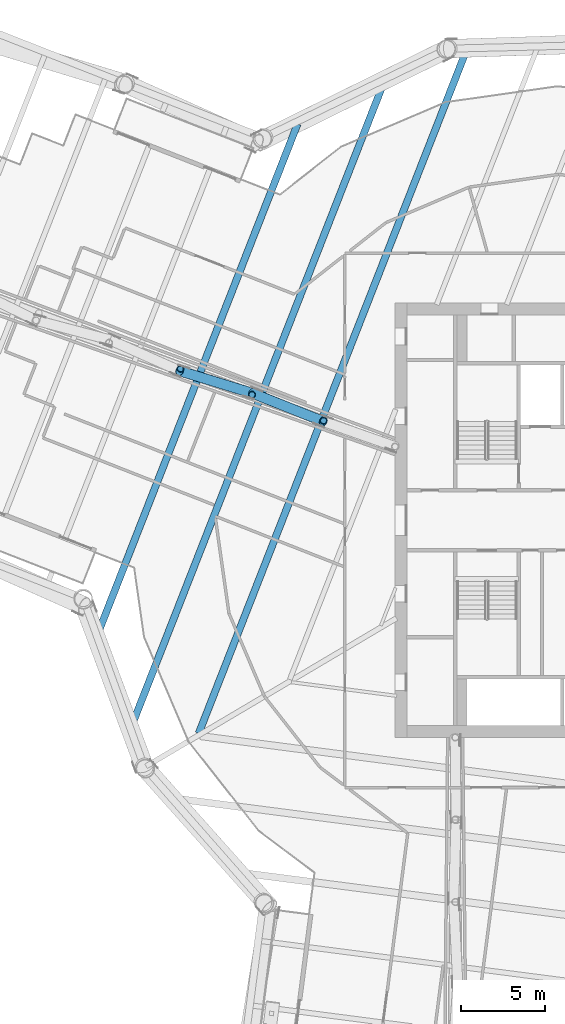
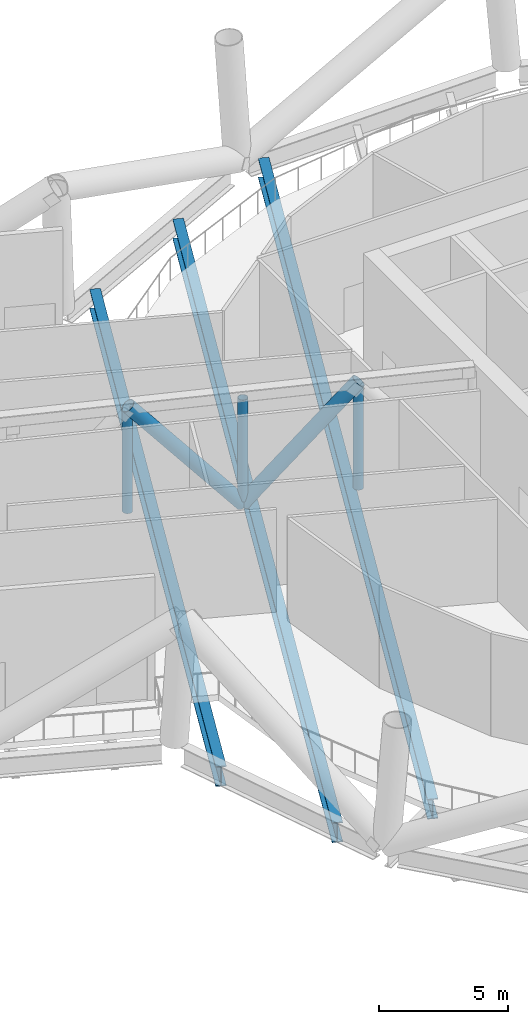
# One storey, part 4 of 36: 5 members, 3 beams.
"""IFC4 building model written with IfcOpenShell, lengths in metres."""

from ifc_helpers import new_model, si_unit, direction, frame, origin, origin_2d, place, context, subcontext, project, spatial, hollow_circle, i_section, extrude, material, material_profile, profile_set, type_object, element, save


model = new_model("IFC4")

# Units and contexts
model_context = context("Model", 3, precision=1e-05, world=origin(), true_north=direction((0.0, 1.0)))
body_context = subcontext(model_context, "Body", "Model", "MODEL_VIEW")
ifc_project = project(units=[si_unit("LENGTHUNIT", "METRE"), si_unit("AREAUNIT", "SQUARE_METRE"), si_unit("VOLUMEUNIT", "CUBIC_METRE"), si_unit("PLANEANGLEUNIT", "RADIAN"), si_unit("MASSUNIT", "GRAM", prefix="KILO")], contexts=[model_context])

# Site, building, storey
site_placement = place(None, origin())
site = spatial("IfcSite", under=ifc_project, at=site_placement, CompositionType="ELEMENT")
building_placement = place(site_placement, origin())
building = spatial("IfcBuilding", under=site, at=building_placement, Name="Tarsis Ring Headquarters", CompositionType="ELEMENT")
storey_placement = place(building_placement, frame((0.0, 0.0, 194.39990234375)))
storey = spatial("IfcBuildingStorey", under=building, at=storey_placement, Name="L45", CompositionType="ELEMENT", Elevation=194.39990234375)

# Beams
ifc_material = material(Name="Structural steel S355", Category="steel")
ifc_material_profile_1 = material_profile(ifc_material, i_section(OverallWidth=0.42431640625, OverallDepth=0.947509765625, WebThickness=0.02392578125, FlangeThickness=0.042724609375, at=origin_2d()), Name="W36x302")
ifc_profile_set_1 = profile_set([ifc_material_profile_1], Name="Structural steel S355")
beam_type = type_object("IfcBeamType", Name="FB Floor beam W36x302", PredefinedType="JOIST", material=ifc_profile_set_1)
beam_1_placement = place(storey_placement, frame((-5.7275390625, 28.13916015625, -0.773681640625), z_axis=(-0.364877540519, -0.931055519518, 0.0), x_axis=(0.931055519518, -0.364877540519, 0.0)))
element("IfcBeam", 1, at=beam_1_placement, inside=storey, type_object=beam_type, Name="Floor beam FB12", PredefinedType="JOIST", context=body_context, shape_type="SweptSolid", body=[
    extrude(i_section(OverallWidth=0.42431640625, OverallDepth=0.947509765625, WebThickness=0.02392578125, FlangeThickness=0.042724609375, at=origin_2d()), origin(), (0.0, 0.0, 1.0), 43.924560546875),
])
beam_2_placement = place(storey_placement, frame((-10.66748046875, 26.222412109375, -0.773681640625), z_axis=(-0.364879231757, -0.931054856726, 0.0), x_axis=(0.931054856726, -0.364879231757, 0.0)))
element("IfcBeam", 2, at=beam_2_placement, inside=storey, type_object=beam_type, Name="Floor beam FB12", PredefinedType="JOIST", context=body_context, shape_type="SweptSolid", body=[
    extrude(i_section(OverallWidth=0.42431640625, OverallDepth=0.947509765625, WebThickness=0.02392578125, FlangeThickness=0.042724609375, at=origin_2d()), origin(), (0.0, 0.0, 1.0), 41.35302734375),
])
beam_3_placement = place(storey_placement, frame((-15.835205078125, 23.724365234375, -0.773681640625), z_axis=(-0.364880607357, -0.931054317629, 0.0), x_axis=(0.931054317629, -0.364880607357, 0.0)))
element("IfcBeam", 3, at=beam_3_placement, inside=storey, type_object=beam_type, Name="Floor beam FB12", PredefinedType="JOIST", context=body_context, shape_type="SweptSolid", body=[
    extrude(i_section(OverallWidth=0.42431640625, OverallDepth=0.947509765625, WebThickness=0.02392578125, FlangeThickness=0.042724609375, at=origin_2d()), origin(), (0.0, 0.0, 1.0), 32.704833984375),
])

# Members
ifc_material_profile_2 = material_profile(ifc_material, hollow_circle(Radius=0.3046875, WallThickness=0.02490234375, at=origin_2d()), Name="CHS 610x25")
ifc_profile_set_2 = profile_set([ifc_material_profile_2], Name="Structural steel S355")
member_type_1 = type_object("IfcMemberType", Name="OD Outrigger diagonal CHS 610x25", PredefinedType="BRACE", material=ifc_profile_set_2)
member_1_placement = place(storey_placement, frame((-14.29833984375, 5.922607421875, 5.586181640625), z_axis=(-0.603635457552, 0.239831862684, -0.760332106403), x_axis=(-0.369236517282, -0.929335458435, 0.0)))
element("IfcMember", 4, at=member_1_placement, inside=storey, type_object=member_type_1, Name="Outrigger diagonal OD1", PredefinedType="BRACE", context=body_context, shape_type="SweptSolid", body=[
    extrude(hollow_circle(Radius=0.3046875, WallThickness=0.02490234375, at=origin_2d()), origin(), (0.0, 0.0, 1.0), 7.0126953125),
])
member_2_placement = place(storey_placement, frame((-18.531494140625, 7.6044921875, 0.254150390625), z_axis=(-0.621624814506, 0.191127369948, 0.759639992659), x_axis=(-0.29388665606, -0.955840276087, 0.0)))
element("IfcMember", 5, at=member_2_placement, inside=storey, type_object=member_type_1, Name="Outrigger diagonal OD1", PredefinedType="BRACE", context=body_context, shape_type="SweptSolid", body=[
    extrude(hollow_circle(Radius=0.3046875, WallThickness=0.02490234375, at=origin_2d()), origin(), (0.0, 0.0, 1.0), 7.01904296875),
])
ifc_material_profile_3 = material_profile(ifc_material, hollow_circle(Radius=0.203125, WallThickness=0.01611328125, at=origin_2d()), Name="CHS 406x16")
ifc_profile_set_3 = profile_set([ifc_material_profile_3], Name="Structural steel S355")
member_type_2 = type_object("IfcMemberType", Name="OV Outrigger post CHS 406x16", PredefinedType="STRUT", material=ifc_profile_set_3)
for number, where, z_axis, x_axis, name in (
    (6, (-14.281982421875, 5.965087890625, 0.508056640625), (0.0, 0.0, 1.0), (1.0, 0.0, 0.0), "Outrigger post OV1"),
    (7, (-18.56396484375, 7.519287109375, 0.508056640625), (0.0, 0.0, 1.0), (1.0, 0.0, 0.0), "Outrigger post OV1"),
    (8, (-22.845947265625, 9.07373046875, 0.508056640625), (0.0, 0.0, 1.0), (1.0, 0.0, 0.0), "Outrigger post OV1"),
):
    element("IfcMember", number, at=place(storey_placement, frame(where, z_axis=z_axis, x_axis=x_axis)), inside=storey, type_object=member_type_2, Name=name, PredefinedType="STRUT", context=body_context, shape_type="SweptSolid", body=[
        extrude(hollow_circle(Radius=0.203125, WallThickness=0.01611328125, at=origin_2d()), origin(), (0.0, 0.0, 1.0), 4.823974609375),
    ])

save(model, "model.ifc")
